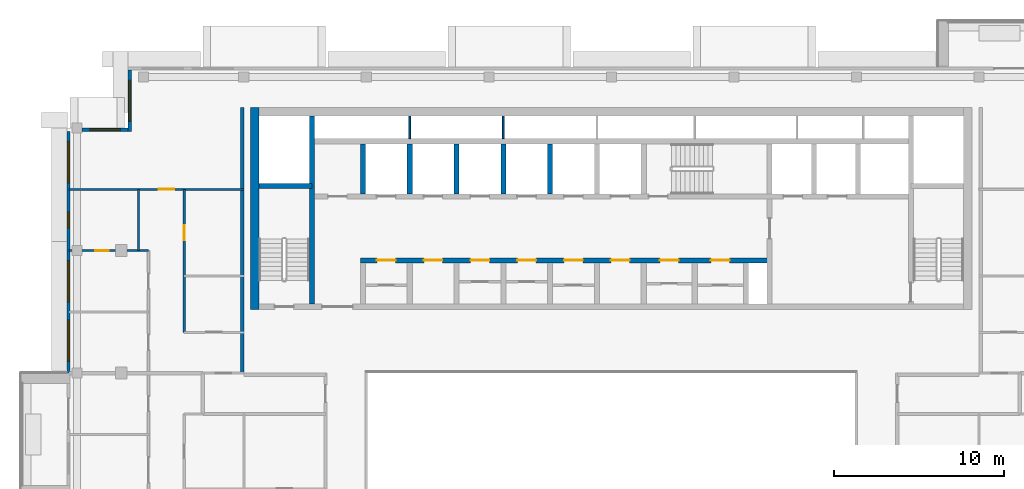
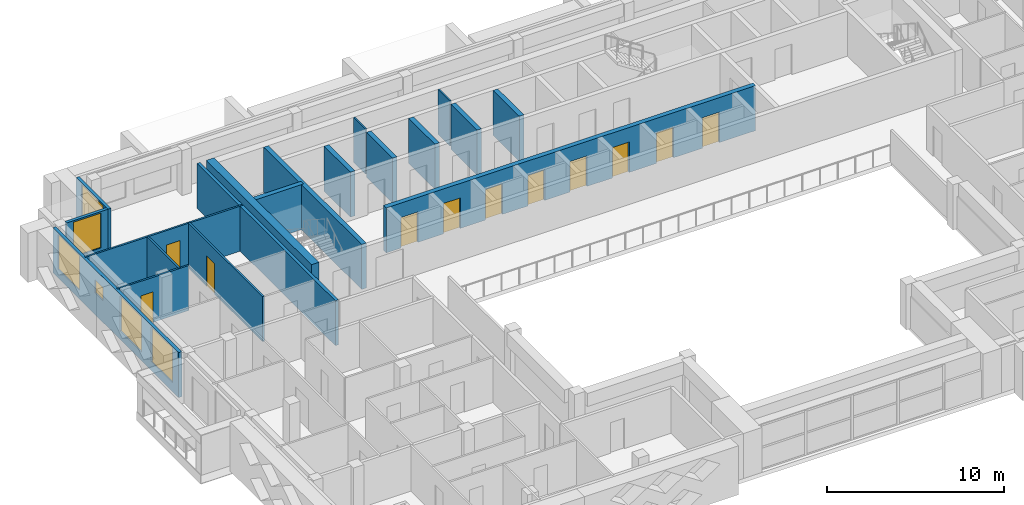
# One storey, part 10 of 19: 19 walls, 11 doors, 6 windows, 17 openings.
"""IFC4 building model written with IfcOpenShell, lengths in metres."""

from ifc_helpers import new_model, si_unit, direction, frame, frame_2d, origin, place, context, subcontext, project, spatial, rectangle, extrude, material, layer, layer_set, type_object, element, fill, save


model = new_model("IFC4")

# Units and contexts
model_context = context("Model", 3, precision=1e-05, world=origin(), true_north=direction((0.0, 1.0)))
body_context = subcontext(model_context, "Body", "Model", "MODEL_VIEW")
ifc_project = project(units=[si_unit("LENGTHUNIT", "METRE"), si_unit("AREAUNIT", "SQUARE_METRE"), si_unit("VOLUMEUNIT", "CUBIC_METRE"), si_unit("PLANEANGLEUNIT", "RADIAN"), si_unit("MASSUNIT", "GRAM", prefix="KILO")], contexts=[model_context])

# Site, building, storey
site_placement = place(None, origin())
site = spatial("IfcSite", under=ifc_project, at=site_placement, CompositionType="ELEMENT")
building_placement = place(site_placement, origin())
building = spatial("IfcBuilding", under=site, at=building_placement, Name="Saffron Iwan Residences", CompositionType="ELEMENT")
storey_placement = place(building_placement, frame((0.0, 0.0, 267.5)))
storey = spatial("IfcBuildingStorey", under=building, at=storey_placement, Name="L72", CompositionType="ELEMENT", Elevation=267.5)

# Wall, opening, window
ifc_material_1 = material(Name="Concrete C40/50", Category="concrete")
ifc_layer_1 = layer(ifc_material_1, 0.199951171875)
ifc_layer_set_1 = layer_set([ifc_layer_1], Name="Concrete C40/50")
wall_type_1 = type_object("IfcWallType", Name="EXTERNAL WALL 200", PredefinedType="SOLIDWALL", material=ifc_layer_set_1)
wall_1_placement = place(storey_placement, frame((22.10009765625, 80.199951171875, 0.0), z_axis=(0.0, 0.0, 1.0), x_axis=(0.0, -1.0, 0.0)))
wall_1 = element("IfcWall", 1, at=wall_1_placement, inside=storey, type_object=wall_type_1, Name="External wall L72 F6.0", PredefinedType="SOLIDWALL", context=body_context, shape_type="SweptSolid", body=[
    extrude(rectangle(XDim=3.599853515625, YDim=0.199951171875, at=frame_2d((1.7998046875, 0.0))), origin(), (0.0, 0.0, 1.0), 3.09912109375),
])
opening_1_placement = place(wall_1_placement, frame((0.60009765625, 0.0, 0.60009765625)))
opening_1 = element("IfcOpeningElement", 2, at=opening_1_placement, cuts=wall_1, Name="Opening W1", PredefinedType="OPENING", context=body_context, shape_type="SweptSolid", body=[
    extrude(rectangle(XDim=2.39990234375, YDim=2.39990234375, at=frame_2d((1.199951171875, 1.199951171875))), frame((0.0, 0.10986328125, 0.0), z_axis=(0.0, -1.0, 0.0), x_axis=(1.0, 0.0, 0.0)), (0.0, 0.0, 1.0), 0.219970703125),
])
ifc_material_2 = material(Name="Clear glass, laminated double glazed", Category="glass")
window_type_1 = type_object("IfcWindowType", Name="WINDOW 2400 x 2400", PartitioningType="DOUBLE_PANEL_VERTICAL", PredefinedType="WINDOW", material=ifc_material_2)
window_1_placement = place(opening_1_placement, origin())
window_1 = element("IfcWindow", 3, at=window_1_placement, inside=storey, type_object=window_type_1, Name="Window L72 F6.0", OverallHeight=2.39990234375, OverallWidth=2.39990234375, PartitioningType="DOUBLE_PANEL_VERTICAL", PredefinedType="WINDOW", context=body_context, shape_type="SweptSolid", body=[
    extrude(rectangle(XDim=2.39990234375, YDim=2.39990234375, at=frame_2d((1.199951171875, 1.199951171875))), frame((0.0, 0.030029296875, 0.0), z_axis=(0.0, -1.0, 0.0), x_axis=(1.0, 0.0, 0.0)), (0.0, 0.0, 1.0), 0.06005859375),
])
fill(opening_1, window_1)

wall_2_placement = place(storey_placement, frame((22.0, 76.699951171875, 0.0), z_axis=(0.0, 0.0, 1.0), x_axis=(-1.0, 0.0, 0.0)))
wall_2 = element("IfcWall", 4, at=wall_2_placement, inside=storey, type_object=wall_type_1, Name="External wall L72 F7.0", PredefinedType="SOLIDWALL", context=body_context, shape_type="SweptSolid", body=[
    extrude(rectangle(XDim=2.699951171875, YDim=0.199951171875, at=frame_2d((1.35009765625, 0.0))), origin(), (0.0, 0.0, 1.0), 3.09912109375),
])
opening_2_placement = place(wall_2_placement, frame((0.449951171875, 0.0, 0.60009765625)))
opening_2 = element("IfcOpeningElement", 5, at=opening_2_placement, cuts=wall_2, Name="Opening W8", PredefinedType="OPENING", context=body_context, shape_type="SweptSolid", body=[
    extrude(rectangle(XDim=1.800048828125, YDim=2.39990234375, at=frame_2d((0.89990234375, 1.199951171875))), frame((0.0, 0.10986328125, 0.0), z_axis=(0.0, -1.0, 0.0), x_axis=(1.0, 0.0, 0.0)), (0.0, 0.0, 1.0), 0.219970703125),
])
window_type_2 = type_object("IfcWindowType", Name="WINDOW 1800 x 2400", PartitioningType="DOUBLE_PANEL_VERTICAL", PredefinedType="WINDOW", material=ifc_material_2)
window_2_placement = place(opening_2_placement, origin())
window_2 = element("IfcWindow", 6, at=window_2_placement, inside=storey, type_object=window_type_2, Name="Window L72 F7.0", OverallHeight=2.39990234375, OverallWidth=1.800048828125, PartitioningType="DOUBLE_PANEL_VERTICAL", PredefinedType="WINDOW", context=body_context, shape_type="SweptSolid", body=[
    extrude(rectangle(XDim=1.800048828125, YDim=2.39990234375, at=frame_2d((0.89990234375, 1.199951171875))), frame((0.0, 0.030029296875, 0.0), z_axis=(0.0, -1.0, 0.0), x_axis=(1.0, 0.0, 0.0)), (0.0, 0.0, 1.0), 0.06005859375),
])
fill(opening_2, window_2)

# Wall, openings, windows
wall_3_placement = place(storey_placement, frame((18.5, 76.60009765625, 0.0), z_axis=(0.0, 0.0, 1.0), x_axis=(0.0, -1.0, 0.0)))
wall_3 = element("IfcWall", 7, at=wall_3_placement, inside=storey, type_object=wall_type_1, Name="External wall L72 F8.0", PredefinedType="SOLIDWALL", context=body_context, shape_type="SweptSolid", body=[
    extrude(rectangle(XDim=14.2001953125, YDim=0.199951171875, at=frame_2d((7.10009765625, 0.0))), origin(), (0.0, 0.0, 1.0), 3.09912109375),
])
opening_3_placement = place(wall_3_placement, frame((11.10009765625, 0.0, 0.60009765625)))
opening_3 = element("IfcOpeningElement", 8, at=opening_3_placement, cuts=wall_3, Name="Opening W1", PredefinedType="OPENING", context=body_context, shape_type="SweptSolid", body=[
    extrude(rectangle(XDim=2.39990234375, YDim=2.39990234375, at=frame_2d((1.199951171875, 1.199951171875))), frame((0.0, 0.10986328125, 0.0), z_axis=(0.0, -1.0, 0.0), x_axis=(1.0, 0.0, 0.0)), (0.0, 0.0, 1.0), 0.219970703125),
])
opening_4_placement = place(wall_3_placement, frame((7.60009765625, 0.0, 0.60009765625)))
opening_4 = element("IfcOpeningElement", 9, at=opening_4_placement, cuts=wall_3, Name="Opening W1", PredefinedType="OPENING", context=body_context, shape_type="SweptSolid", body=[
    extrude(rectangle(XDim=2.39990234375, YDim=2.39990234375, at=frame_2d((1.199951171875, 1.199951171875))), frame((0.0, 0.10986328125, 0.0), z_axis=(0.0, -1.0, 0.0), x_axis=(1.0, 0.0, 0.0)), (0.0, 0.0, 1.0), 0.219970703125),
])
opening_5_placement = place(wall_3_placement, frame((4.75, 0.0, 1.5)))
opening_5 = element("IfcOpeningElement", 10, at=opening_5_placement, cuts=wall_3, Name="Opening W6", PredefinedType="OPENING", context=body_context, shape_type="SweptSolid", body=[
    extrude(rectangle(XDim=0.89990234375, YDim=0.89990234375, at=frame_2d((0.449951171875, 0.449951171875))), frame((0.0, 0.10986328125, 0.0), z_axis=(0.0, -1.0, 0.0), x_axis=(1.0, 0.0, 0.0)), (0.0, 0.0, 1.0), 0.219970703125),
])
opening_6_placement = place(wall_3_placement, frame((0.60009765625, 0.0, 0.60009765625)))
opening_6 = element("IfcOpeningElement", 11, at=opening_6_placement, cuts=wall_3, Name="Opening W1", PredefinedType="OPENING", context=body_context, shape_type="SweptSolid", body=[
    extrude(rectangle(XDim=2.39990234375, YDim=2.39990234375, at=frame_2d((1.199951171875, 1.199951171875))), frame((0.0, 0.10986328125, 0.0), z_axis=(0.0, -1.0, 0.0), x_axis=(1.0, 0.0, 0.0)), (0.0, 0.0, 1.0), 0.219970703125),
])
window_3_placement = place(opening_3_placement, origin())
window_3 = element("IfcWindow", 12, at=window_3_placement, inside=storey, type_object=window_type_1, Name="Window L72 F8.0", OverallHeight=2.39990234375, OverallWidth=2.39990234375, PartitioningType="DOUBLE_PANEL_VERTICAL", PredefinedType="WINDOW", context=body_context, shape_type="SweptSolid", body=[
    extrude(rectangle(XDim=2.39990234375, YDim=2.39990234375, at=frame_2d((1.199951171875, 1.199951171875))), frame((0.0, 0.030029296875, 0.0), z_axis=(0.0, -1.0, 0.0), x_axis=(1.0, 0.0, 0.0)), (0.0, 0.0, 1.0), 0.06005859375),
])
fill(opening_3, window_3)
window_4_placement = place(opening_4_placement, origin())
window_4 = element("IfcWindow", 13, at=window_4_placement, inside=storey, type_object=window_type_1, Name="Window L72 F8.1", OverallHeight=2.39990234375, OverallWidth=2.39990234375, PartitioningType="DOUBLE_PANEL_VERTICAL", PredefinedType="WINDOW", context=body_context, shape_type="SweptSolid", body=[
    extrude(rectangle(XDim=2.39990234375, YDim=2.39990234375, at=frame_2d((1.199951171875, 1.199951171875))), frame((0.0, 0.030029296875, 0.0), z_axis=(0.0, -1.0, 0.0), x_axis=(1.0, 0.0, 0.0)), (0.0, 0.0, 1.0), 0.06005859375),
])
fill(opening_4, window_4)
window_5_placement = place(opening_6_placement, origin())
window_5 = element("IfcWindow", 14, at=window_5_placement, inside=storey, type_object=window_type_1, Name="Window L72 F8.3", OverallHeight=2.39990234375, OverallWidth=2.39990234375, PartitioningType="DOUBLE_PANEL_VERTICAL", PredefinedType="WINDOW", context=body_context, shape_type="SweptSolid", body=[
    extrude(rectangle(XDim=2.39990234375, YDim=2.39990234375, at=frame_2d((1.199951171875, 1.199951171875))), frame((0.0, 0.030029296875, 0.0), z_axis=(0.0, -1.0, 0.0), x_axis=(1.0, 0.0, 0.0)), (0.0, 0.0, 1.0), 0.06005859375),
])
fill(opening_6, window_5)
window_type_3 = type_object("IfcWindowType", Name="WINDOW 900 x 900 BATH", PartitioningType="SINGLE_PANEL", PredefinedType="WINDOW", material=ifc_material_2)
window_6_placement = place(opening_5_placement, origin())
window_6 = element("IfcWindow", 15, at=window_6_placement, inside=storey, type_object=window_type_3, Name="Window L72 F8.2", OverallHeight=0.89990234375, OverallWidth=0.89990234375, PartitioningType="SINGLE_PANEL", PredefinedType="WINDOW", context=body_context, shape_type="SweptSolid", body=[
    extrude(rectangle(XDim=0.89990234375, YDim=0.89990234375, at=frame_2d((0.449951171875, 0.449951171875))), frame((0.0, 0.030029296875, 0.0), z_axis=(0.0, -1.0, 0.0), x_axis=(1.0, 0.0, 0.0)), (0.0, 0.0, 1.0), 0.06005859375),
])
fill(opening_5, window_6)

# Wall, opening, door
ifc_material_3 = material(Name="Gypsum board partition")
ifc_layer_2 = layer(ifc_material_3, 0.1201171875)
ifc_layer_set_2 = layer_set([ifc_layer_2], Name="Gypsum board partition")
wall_type_2 = type_object("IfcWallType", Name="Flat partition 120", PredefinedType="PARTITIONING", material=ifc_layer_set_2)
wall_4_placement = place(storey_placement, frame((18.52490234375, 69.60009765625, 0.0), z_axis=(0.0, 0.0, 1.0), x_axis=(1.0, 0.0, 0.0)))
wall_4 = element("IfcWall", 16, at=wall_4_placement, inside=storey, type_object=wall_type_2, Name="W-L72-PART-h69.6-18.525", PredefinedType="PARTITIONING", context=body_context, shape_type="SweptSolid", body=[
    extrude(rectangle(XDim=4.675048828125, YDim=0.1201171875, at=frame_2d((2.33740234375, 0.0))), origin(), (0.0, 0.0, 1.0), 3.09912109375),
])
opening_7_placement = place(wall_4_placement, frame((1.53759765625, 0.0, 0.0)))
opening_7 = element("IfcOpeningElement", 17, at=opening_7_placement, cuts=wall_4, Name="Opening FD3", PredefinedType="OPENING", context=body_context, shape_type="SweptSolid", body=[
    extrude(rectangle(XDim=0.800048828125, YDim=2.10009765625, at=frame_2d((0.39990234375, 1.050048828125))), frame((0.0, 0.070068359375, 0.0), z_axis=(0.0, -1.0, 0.0), x_axis=(1.0, 0.0, 0.0)), (0.0, 0.0, 1.0), 0.14013671875),
])
ifc_material_4 = material(Name="Timber door", Category="wood")
door_type_1 = type_object("IfcDoorType", Name="Bathroom door 800", OperationType="NOTDEFINED", PredefinedType="DOOR", material=ifc_material_4)
door_1_placement = place(opening_7_placement, origin())
door_1 = element("IfcDoor", 18, at=door_1_placement, inside=storey, type_object=door_type_1, Name="Door L72-029", OperationType="SINGLE_SWING_RIGHT", OverallHeight=2.10009765625, OverallWidth=0.800048828125, PredefinedType="DOOR", context=body_context, shape_type="SweptSolid", body=[
    extrude(rectangle(XDim=0.800048828125, YDim=2.10009765625, at=frame_2d((0.39990234375, 1.050048828125))), frame((0.0, 0.02490234375, 0.0), z_axis=(0.0, -1.0, 0.0), x_axis=(1.0, 0.0, 0.0)), (0.0, 0.0, 1.0), 0.050048828125),
])
fill(opening_7, door_1)

wall_5_placement = place(storey_placement, frame((18.52490234375, 73.199951171875, 0.0), z_axis=(0.0, 0.0, 1.0), x_axis=(1.0, 0.0, 0.0)))
wall_5 = element("IfcWall", 19, at=wall_5_placement, inside=storey, type_object=wall_type_2, Name="W-L72-PART-h73.2-18.525", PredefinedType="PARTITIONING", context=body_context, shape_type="SweptSolid", body=[
    extrude(rectangle(XDim=10.275146484375, YDim=0.1201171875, at=frame_2d((5.1376953125, 0.0))), origin(), (0.0, 0.0, 1.0), 3.09912109375),
])
opening_8_placement = place(wall_5_placement, frame((5.27490234375, 0.0, 0.0)))
opening_8 = element("IfcOpeningElement", 20, at=opening_8_placement, cuts=wall_5, Name="Opening FD2", PredefinedType="OPENING", context=body_context, shape_type="SweptSolid", body=[
    extrude(rectangle(XDim=0.89990234375, YDim=2.10009765625, at=frame_2d((0.449951171875, 1.050048828125))), frame((0.0, 0.070068359375, 0.0), z_axis=(0.0, -1.0, 0.0), x_axis=(1.0, 0.0, 0.0)), (0.0, 0.0, 1.0), 0.14013671875),
])
door_type_2 = type_object("IfcDoorType", Name="Flat door 900", OperationType="NOTDEFINED", PredefinedType="DOOR", material=ifc_material_4)
door_2_placement = place(opening_8_placement, origin())
door_2 = element("IfcDoor", 21, at=door_2_placement, inside=storey, type_object=door_type_2, Name="Door L72-030", OperationType="SINGLE_SWING_LEFT", OverallHeight=2.10009765625, OverallWidth=0.89990234375, PredefinedType="DOOR", context=body_context, shape_type="SweptSolid", body=[
    extrude(rectangle(XDim=0.89990234375, YDim=2.10009765625, at=frame_2d((0.449951171875, 1.050048828125))), frame((0.0, 0.02490234375, 0.0), z_axis=(0.0, -1.0, 0.0), x_axis=(1.0, 0.0, 0.0)), (0.0, 0.0, 1.0), 0.050048828125),
])
fill(opening_8, door_2)

# Wall
wall_6_placement = place(storey_placement, frame((22.60009765625, 69.60009765625, 0.0), z_axis=(0.0, 0.0, 1.0), x_axis=(0.0, 1.0, 0.0)))
element("IfcWall", 22, at=wall_6_placement, inside=storey, type_object=wall_type_2, Name="W-L72-PART-v22.6-69.6", PredefinedType="PARTITIONING", context=body_context, shape_type="SweptSolid", body=[
    extrude(rectangle(XDim=3.599853515625, YDim=0.1201171875, at=frame_2d((1.7998046875, 0.0))), origin(), (0.0, 0.0, 1.0), 3.09912109375),
])

# Wall, opening, door
wall_7_placement = place(storey_placement, frame((25.300048828125, 64.800048828125, 0.0), z_axis=(0.0, 0.0, 1.0), x_axis=(0.0, 1.0, 0.0)))
wall_7 = element("IfcWall", 23, at=wall_7_placement, inside=storey, type_object=wall_type_2, Name="W-L72-PART-v25.3-64.8", PredefinedType="PARTITIONING", context=body_context, shape_type="SweptSolid", body=[
    extrude(rectangle(XDim=8.39990234375, YDim=0.1201171875, at=frame_2d((4.199951171875, 0.0))), origin(), (0.0, 0.0, 1.0), 3.09912109375),
])
opening_9_placement = place(wall_7_placement, frame((5.39990234375, 0.0, 0.0)))
opening_9 = element("IfcOpeningElement", 24, at=opening_9_placement, cuts=wall_7, Name="Opening FD2", PredefinedType="OPENING", context=body_context, shape_type="SweptSolid", body=[
    extrude(rectangle(XDim=0.89990234375, YDim=2.10009765625, at=frame_2d((0.449951171875, 1.050048828125))), frame((0.0, 0.070068359375, 0.0), z_axis=(0.0, -1.0, 0.0), x_axis=(1.0, 0.0, 0.0)), (0.0, 0.0, 1.0), 0.14013671875),
])
door_3_placement = place(opening_9_placement, origin())
door_3 = element("IfcDoor", 25, at=door_3_placement, inside=storey, type_object=door_type_2, Name="Door L72-032", OperationType="SINGLE_SWING_LEFT", OverallHeight=2.10009765625, OverallWidth=0.89990234375, PredefinedType="DOOR", context=body_context, shape_type="SweptSolid", body=[
    extrude(rectangle(XDim=0.89990234375, YDim=2.10009765625, at=frame_2d((0.449951171875, 1.050048828125))), frame((0.0, 0.02490234375, 0.0), z_axis=(0.0, -1.0, 0.0), x_axis=(1.0, 0.0, 0.0)), (0.0, 0.0, 1.0), 0.050048828125),
])
fill(opening_9, door_3)

# Walls
ifc_material_5 = material(Name="Fire-rated gypsum board wall")
ifc_layer_3 = layer(ifc_material_5, 0.199951171875)
ifc_layer_set_3 = layer_set([ifc_layer_3], Name="Fire-rated gypsum board wall")
wall_type_3 = type_object("IfcWallType", Name="Gallery wall 200", PredefinedType="SOLIDWALL", material=ifc_layer_set_3)
wall_8_placement = place(storey_placement, frame((28.699951171875, 62.39990234375, 0.0), z_axis=(0.0, 0.0, 1.0), x_axis=(0.0, 1.0, 0.0)))
element("IfcWall", 26, at=wall_8_placement, inside=storey, type_object=wall_type_3, Name="W-L72-CORR-v28.8-62.4", PredefinedType="SOLIDWALL", context=body_context, shape_type="SweptSolid", body=[
    extrude(rectangle(XDim=15.60009765625, YDim=0.199951171875, at=frame_2d((7.800048828125, 0.0))), origin(), (0.0, 0.0, 1.0), 3.09912109375),
])
ifc_material_6 = material(Name="Fire-rated plasterboard partition")
ifc_layer_4 = layer(ifc_material_6, 0.10009765625)
ifc_layer_set_4 = layer_set([ifc_layer_4], Name="Fire-rated plasterboard partition")
wall_type_4 = type_object("IfcWallType", Name="Riser partition 100", PredefinedType="PARTITIONING", material=ifc_layer_set_4)
for number, where, z_axis, x_axis, name in (
    (27, (38.550048828125, 76.175048828125, 0.0), (0.0, 0.0, 1.0), (0.0, 1.0, 0.0), "Core partition P07"),
    (28, (44.050048828125, 76.175048828125, 0.0), (0.0, 0.0, 1.0), (0.0, 1.0, 0.0), "Core partition P08"),
):
    element("IfcWall", number, at=place(storey_placement, frame(where, z_axis=z_axis, x_axis=x_axis)), inside=storey, type_object=wall_type_4, Name=name, PredefinedType="PARTITIONING", context=body_context, shape_type="SweptSolid", body=[
        extrude(rectangle(XDim=1.324951171875, YDim=0.10009765625, at=frame_2d((0.66259765625, 0.0))), origin(), (0.0, 0.0, 1.0), 3.09912109375),
    ])

# Wall, openings, doors
ifc_layer_5 = layer(ifc_material_1, 0.300048828125)
ifc_layer_set_5 = layer_set([ifc_layer_5], Name="Concrete C40/50")
wall_type_5 = type_object("IfcWallType", Name="WALL CORE 300 C40/50 3099 HIGH", PredefinedType="SHEAR", material=ifc_layer_set_5)
wall_9_placement = place(storey_placement, frame((35.64990234375, 69.02490234375, 0.0), z_axis=(0.0, 0.0, 1.0), x_axis=(1.0, 0.0, 0.0)))
wall_9 = element("IfcWall", 29, at=wall_9_placement, inside=storey, type_object=wall_type_5, Name="Core wall", PredefinedType="SHEAR", context=body_context, shape_type="SweptSolid", body=[
    extrude(rectangle(XDim=24.050048828125, YDim=0.300048828125, at=frame_2d((12.02490234375, 0.0))), origin(), (0.0, 0.0, 1.0), 3.09912109375),
])
opening_10_placement = place(wall_9_placement, frame((0.97509765625, 0.0, 0.0)))
opening_10 = element("IfcOpeningElement", 30, at=opening_10_placement, cuts=wall_9, Name="Opening SR", PredefinedType="OPENING", context=body_context, shape_type="SweptSolid", body=[
    extrude(rectangle(XDim=1.10009765625, YDim=2.10009765625, at=frame_2d((0.550048828125, 1.050048828125))), frame((0.0, 0.16015625, 0.0), z_axis=(0.0, -1.0, 0.0), x_axis=(1.0, 0.0, 0.0)), (0.0, 0.0, 1.0), 0.320068359375),
])
opening_11_placement = place(wall_9_placement, frame((3.72509765625, 0.0, 0.0)))
opening_11 = element("IfcOpeningElement", 31, at=opening_11_placement, cuts=wall_9, Name="Opening SR", PredefinedType="OPENING", context=body_context, shape_type="SweptSolid", body=[
    extrude(rectangle(XDim=1.10009765625, YDim=2.10009765625, at=frame_2d((0.550048828125, 1.050048828125))), frame((0.0, 0.16015625, 0.0), z_axis=(0.0, -1.0, 0.0), x_axis=(1.0, 0.0, 0.0)), (0.0, 0.0, 1.0), 0.320068359375),
])
opening_12_placement = place(wall_9_placement, frame((6.47509765625, 0.0, 0.0)))
opening_12 = element("IfcOpeningElement", 32, at=opening_12_placement, cuts=wall_9, Name="Opening SR", PredefinedType="OPENING", context=body_context, shape_type="SweptSolid", body=[
    extrude(rectangle(XDim=1.10009765625, YDim=2.10009765625, at=frame_2d((0.550048828125, 1.050048828125))), frame((0.0, 0.16015625, 0.0), z_axis=(0.0, -1.0, 0.0), x_axis=(1.0, 0.0, 0.0)), (0.0, 0.0, 1.0), 0.320068359375),
])
opening_13_placement = place(wall_9_placement, frame((9.22509765625, 0.0, 0.0)))
opening_13 = element("IfcOpeningElement", 33, at=opening_13_placement, cuts=wall_9, Name="Opening SR", PredefinedType="OPENING", context=body_context, shape_type="SweptSolid", body=[
    extrude(rectangle(XDim=1.10009765625, YDim=2.10009765625, at=frame_2d((0.550048828125, 1.050048828125))), frame((0.0, 0.16015625, 0.0), z_axis=(0.0, -1.0, 0.0), x_axis=(1.0, 0.0, 0.0)), (0.0, 0.0, 1.0), 0.320068359375),
])
opening_14_placement = place(wall_9_placement, frame((11.97509765625, 0.0, 0.0)))
opening_14 = element("IfcOpeningElement", 34, at=opening_14_placement, cuts=wall_9, Name="Opening SR", PredefinedType="OPENING", context=body_context, shape_type="SweptSolid", body=[
    extrude(rectangle(XDim=1.10009765625, YDim=2.10009765625, at=frame_2d((0.550048828125, 1.050048828125))), frame((0.0, 0.16015625, 0.0), z_axis=(0.0, -1.0, 0.0), x_axis=(1.0, 0.0, 0.0)), (0.0, 0.0, 1.0), 0.320068359375),
])
opening_15_placement = place(wall_9_placement, frame((14.72509765625, 0.0, 0.0)))
opening_15 = element("IfcOpeningElement", 35, at=opening_15_placement, cuts=wall_9, Name="Opening SR", PredefinedType="OPENING", context=body_context, shape_type="SweptSolid", body=[
    extrude(rectangle(XDim=1.10009765625, YDim=2.10009765625, at=frame_2d((0.550048828125, 1.050048828125))), frame((0.0, 0.16015625, 0.0), z_axis=(0.0, -1.0, 0.0), x_axis=(1.0, 0.0, 0.0)), (0.0, 0.0, 1.0), 0.320068359375),
])
opening_16_placement = place(wall_9_placement, frame((17.60009765625, 0.0, 0.0)))
opening_16 = element("IfcOpeningElement", 36, at=opening_16_placement, cuts=wall_9, Name="Opening SR", PredefinedType="OPENING", context=body_context, shape_type="SweptSolid", body=[
    extrude(rectangle(XDim=1.10009765625, YDim=2.10009765625, at=frame_2d((0.550048828125, 1.050048828125))), frame((0.0, 0.16015625, 0.0), z_axis=(0.0, -1.0, 0.0), x_axis=(1.0, 0.0, 0.0)), (0.0, 0.0, 1.0), 0.320068359375),
])
opening_17_placement = place(wall_9_placement, frame((20.60009765625, 0.0, 0.0)))
opening_17 = element("IfcOpeningElement", 37, at=opening_17_placement, cuts=wall_9, Name="Opening SR", PredefinedType="OPENING", context=body_context, shape_type="SweptSolid", body=[
    extrude(rectangle(XDim=1.10009765625, YDim=2.10009765625, at=frame_2d((0.550048828125, 1.050048828125))), frame((0.0, 0.16015625, 0.0), z_axis=(0.0, -1.0, 0.0), x_axis=(1.0, 0.0, 0.0)), (0.0, 0.0, 1.0), 0.320068359375),
])
ifc_material_7 = material(Name="Steel fire door", Category="steel")
door_type_3 = type_object("IfcDoorType", Name="Service door 1100", OperationType="NOTDEFINED", PredefinedType="DOOR", material=ifc_material_7)
door_4_placement = place(opening_10_placement, origin())
door_4 = element("IfcDoor", 38, at=door_4_placement, inside=storey, type_object=door_type_3, Name="Door Linen store", OperationType="SINGLE_SWING_RIGHT", OverallHeight=2.10009765625, OverallWidth=1.10009765625, PredefinedType="DOOR", context=body_context, shape_type="SweptSolid", body=[
    extrude(rectangle(XDim=1.10009765625, YDim=2.10009765625, at=frame_2d((0.550048828125, 1.050048828125))), frame((0.0, 0.02490234375, 0.0), z_axis=(0.0, -1.0, 0.0), x_axis=(1.0, 0.0, 0.0)), (0.0, 0.0, 1.0), 0.050048828125),
])
fill(opening_10, door_4)
door_5_placement = place(opening_11_placement, origin())
door_5 = element("IfcDoor", 39, at=door_5_placement, inside=storey, type_object=door_type_3, Name="Door Pantry", OperationType="SINGLE_SWING_LEFT", OverallHeight=2.10009765625, OverallWidth=1.10009765625, PredefinedType="DOOR", context=body_context, shape_type="SweptSolid", body=[
    extrude(rectangle(XDim=1.10009765625, YDim=2.10009765625, at=frame_2d((0.550048828125, 1.050048828125))), frame((0.0, 0.02490234375, 0.0), z_axis=(0.0, -1.0, 0.0), x_axis=(1.0, 0.0, 0.0)), (0.0, 0.0, 1.0), 0.050048828125),
])
fill(opening_11, door_5)
door_6_placement = place(opening_12_placement, origin())
door_6 = element("IfcDoor", 40, at=door_6_placement, inside=storey, type_object=door_type_3, Name="Door Electrical room", OperationType="SINGLE_SWING_RIGHT", OverallHeight=2.10009765625, OverallWidth=1.10009765625, PredefinedType="DOOR", context=body_context, shape_type="SweptSolid", body=[
    extrude(rectangle(XDim=1.10009765625, YDim=2.10009765625, at=frame_2d((0.550048828125, 1.050048828125))), frame((0.0, 0.02490234375, 0.0), z_axis=(0.0, -1.0, 0.0), x_axis=(1.0, 0.0, 0.0)), (0.0, 0.0, 1.0), 0.050048828125),
])
fill(opening_12, door_6)
door_7_placement = place(opening_13_placement, origin())
door_7 = element("IfcDoor", 41, at=door_7_placement, inside=storey, type_object=door_type_3, Name="Door Luggage store", OperationType="SINGLE_SWING_LEFT", OverallHeight=2.10009765625, OverallWidth=1.10009765625, PredefinedType="DOOR", context=body_context, shape_type="SweptSolid", body=[
    extrude(rectangle(XDim=1.10009765625, YDim=2.10009765625, at=frame_2d((0.550048828125, 1.050048828125))), frame((0.0, 0.02490234375, 0.0), z_axis=(0.0, -1.0, 0.0), x_axis=(1.0, 0.0, 0.0)), (0.0, 0.0, 1.0), 0.050048828125),
])
fill(opening_13, door_7)
door_8_placement = place(opening_14_placement, origin())
door_8 = element("IfcDoor", 42, at=door_8_placement, inside=storey, type_object=door_type_3, Name="Door Refuse store", OperationType="SINGLE_SWING_RIGHT", OverallHeight=2.10009765625, OverallWidth=1.10009765625, PredefinedType="DOOR", context=body_context, shape_type="SweptSolid", body=[
    extrude(rectangle(XDim=1.10009765625, YDim=2.10009765625, at=frame_2d((0.550048828125, 1.050048828125))), frame((0.0, 0.02490234375, 0.0), z_axis=(0.0, -1.0, 0.0), x_axis=(1.0, 0.0, 0.0)), (0.0, 0.0, 1.0), 0.050048828125),
])
fill(opening_14, door_8)
door_9_placement = place(opening_15_placement, origin())
door_9 = element("IfcDoor", 43, at=door_9_placement, inside=storey, type_object=door_type_3, Name="Door Maintenance store", OperationType="SINGLE_SWING_LEFT", OverallHeight=2.10009765625, OverallWidth=1.10009765625, PredefinedType="DOOR", context=body_context, shape_type="SweptSolid", body=[
    extrude(rectangle(XDim=1.10009765625, YDim=2.10009765625, at=frame_2d((0.550048828125, 1.050048828125))), frame((0.0, 0.02490234375, 0.0), z_axis=(0.0, -1.0, 0.0), x_axis=(1.0, 0.0, 0.0)), (0.0, 0.0, 1.0), 0.050048828125),
])
fill(opening_15, door_9)
door_10_placement = place(opening_16_placement, origin())
door_10 = element("IfcDoor", 44, at=door_10_placement, inside=storey, type_object=door_type_3, Name="Door Cleaner's store", OperationType="SINGLE_SWING_RIGHT", OverallHeight=2.10009765625, OverallWidth=1.10009765625, PredefinedType="DOOR", context=body_context, shape_type="SweptSolid", body=[
    extrude(rectangle(XDim=1.10009765625, YDim=2.10009765625, at=frame_2d((0.550048828125, 1.050048828125))), frame((0.0, 0.02490234375, 0.0), z_axis=(0.0, -1.0, 0.0), x_axis=(1.0, 0.0, 0.0)), (0.0, 0.0, 1.0), 0.050048828125),
])
fill(opening_16, door_10)
door_11_placement = place(opening_17_placement, origin())
door_11 = element("IfcDoor", 45, at=door_11_placement, inside=storey, type_object=door_type_3, Name="Door Trolley store", OperationType="SINGLE_SWING_RIGHT", OverallHeight=2.10009765625, OverallWidth=1.10009765625, PredefinedType="DOOR", context=body_context, shape_type="SweptSolid", body=[
    extrude(rectangle(XDim=1.10009765625, YDim=2.10009765625, at=frame_2d((0.550048828125, 1.050048828125))), frame((0.0, 0.02490234375, 0.0), z_axis=(0.0, -1.0, 0.0), x_axis=(1.0, 0.0, 0.0)), (0.0, 0.0, 1.0), 0.050048828125),
])
fill(opening_17, door_11)

# Walls
wall_10_placement = place(storey_placement, frame((29.699951171875, 73.39990234375, 0.0), z_axis=(0.0, 0.0, 1.0), x_axis=(1.0, 0.0, 0.0)))
element("IfcWall", 46, at=wall_10_placement, inside=storey, type_object=wall_type_5, Name="Core wall", PredefinedType="SHEAR", context=body_context, shape_type="SweptSolid", body=[
    extrude(rectangle(XDim=3.10009765625, YDim=0.300048828125, at=frame_2d((1.550048828125, 0.0))), origin(), (0.0, 0.0, 1.0), 3.09912109375),
])
wall_11_placement = place(storey_placement, frame((32.800048828125, 66.449951171875, 0.0), z_axis=(0.0, 0.0, 1.0), x_axis=(0.0, 1.0, 0.0)))
element("IfcWall", 47, at=wall_11_placement, inside=storey, type_object=wall_type_5, Name="Core wall", PredefinedType="SHEAR", context=body_context, shape_type="SweptSolid", body=[
    extrude(rectangle(XDim=11.050048828125, YDim=0.300048828125, at=frame_2d((5.52490234375, 0.0))), origin(), (0.0, 0.0, 1.0), 3.09912109375),
])
for number, where, z_axis, x_axis, name in (
    (48, (35.800048828125, 72.925048828125, 0.0), (0.0, 0.0, 1.0), (0.0, 1.0, 0.0), "Core wall"),
    (49, (38.550048828125, 72.925048828125, 0.0), (0.0, 0.0, 1.0), (0.0, 1.0, 0.0), "Core wall"),
    (50, (41.300048828125, 72.925048828125, 0.0), (0.0, 0.0, 1.0), (0.0, 1.0, 0.0), "Core wall"),
    (51, (44.050048828125, 72.925048828125, 0.0), (0.0, 0.0, 1.0), (0.0, 1.0, 0.0), "Core wall"),
    (52, (46.800048828125, 72.925048828125, 0.0), (0.0, 0.0, 1.0), (0.0, 1.0, 0.0), "Core wall"),
):
    element("IfcWall", number, at=place(storey_placement, frame(where, z_axis=z_axis, x_axis=x_axis)), inside=storey, type_object=wall_type_5, Name=name, PredefinedType="SHEAR", context=body_context, shape_type="SweptSolid", body=[
        extrude(rectangle(XDim=2.949951171875, YDim=0.300048828125, at=frame_2d((1.47509765625, 0.0))), origin(), (0.0, 0.0, 1.0), 3.09912109375),
    ])
ifc_layer_6 = layer(ifc_material_1, 0.5)
ifc_layer_set_6 = layer_set([ifc_layer_6], Name="Concrete C40/50")
wall_type_6 = type_object("IfcWallType", Name="WALL CORE 500 C40/50 3099 HIGH", PredefinedType="SHEAR", material=ifc_layer_set_6)
wall_12_placement = place(storey_placement, frame((29.449951171875, 66.14990234375, 0.0), z_axis=(0.0, 0.0, 1.0), x_axis=(0.0, 1.0, 0.0)))
element("IfcWall", 53, at=wall_12_placement, inside=storey, type_object=wall_type_6, Name="Core wall", PredefinedType="SHEAR", context=body_context, shape_type="SweptSolid", body=[
    extrude(rectangle(XDim=11.85009765625, YDim=0.5, at=frame_2d((5.925048828125, 0.0))), origin(), (0.0, 0.0, 1.0), 3.09912109375),
])

save(model, "model.ifc")
